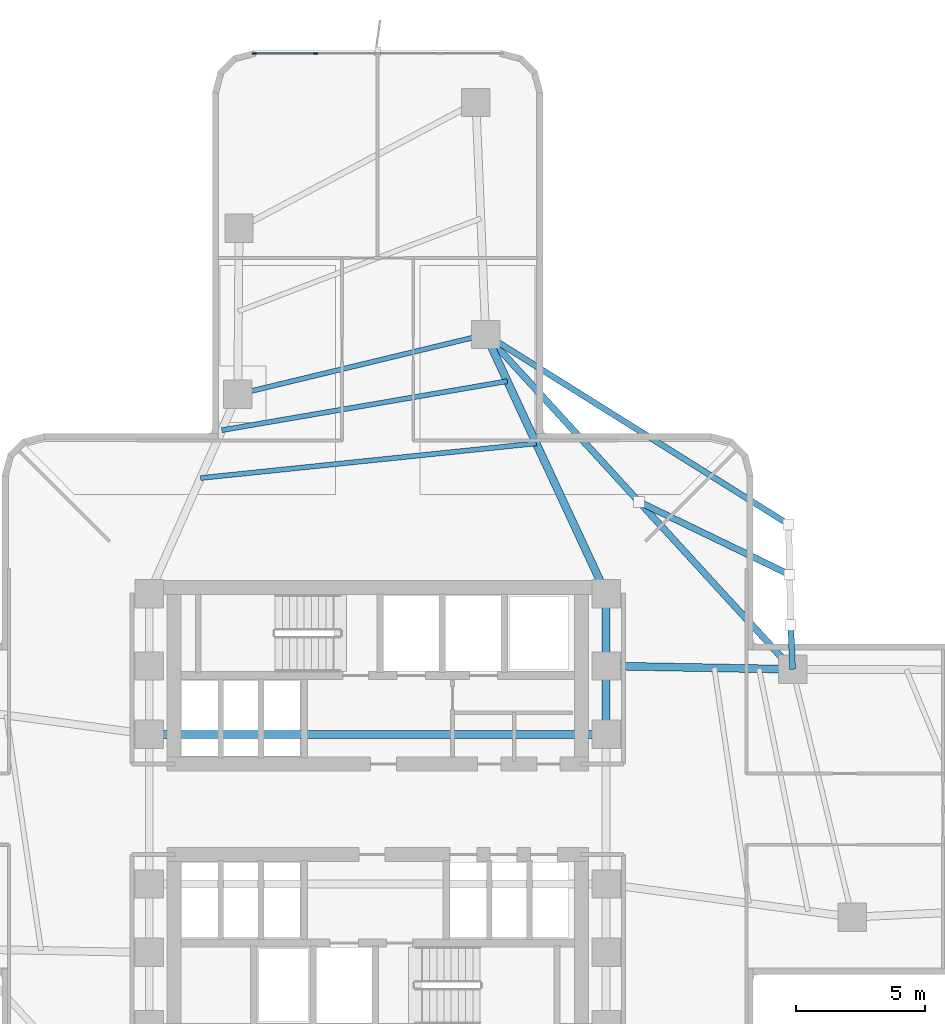
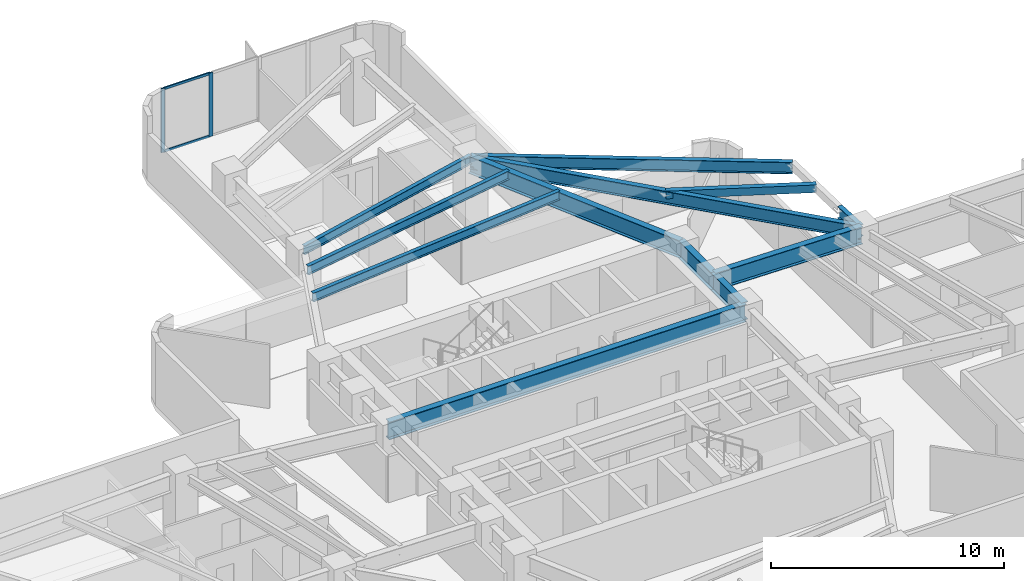
# One storey, part 5 of 14: 12 beams, 4 members, 1 element without a shape of its own.
"""IFC4 building model written with IfcOpenShell, lengths in metres."""

from ifc_helpers import new_model, si_unit, direction, frame, origin, origin_2d, place, context, subcontext, project, spatial, rectangle, hollow_rectangle, i_section, extrude, material, layer, layer_set, material_profile, profile_set, type_object, element, aggregate, save


model = new_model("IFC4")

# Units and contexts
model_context = context("Model", 3, precision=1e-05, world=origin(), true_north=direction((0.0, 1.0)))
body_context = subcontext(model_context, "Body", "Model", "MODEL_VIEW")
ifc_project = project(units=[si_unit("LENGTHUNIT", "METRE"), si_unit("AREAUNIT", "SQUARE_METRE"), si_unit("VOLUMEUNIT", "CUBIC_METRE"), si_unit("PLANEANGLEUNIT", "RADIAN"), si_unit("MASSUNIT", "GRAM", prefix="KILO")], contexts=[model_context])

# Site, building, storey
site_placement = place(None, origin())
site = spatial("IfcSite", under=ifc_project, at=site_placement, CompositionType="ELEMENT")
building_placement = place(site_placement, origin())
building = spatial("IfcBuilding", under=site, at=building_placement, Name="Solmarez Civic Tower", CompositionType="ELEMENT")
storey_placement = place(building_placement, frame((0.0, 0.0, 31.679931640625)))
storey = spatial("IfcBuildingStorey", under=building, at=storey_placement, Name="L07", CompositionType="ELEMENT", Elevation=31.679931640625)

# Beams
ifc_material_1 = material(Name="Steel S355", Category="steel")
ifc_material_profile_1 = material_profile(ifc_material_1, i_section(OverallWidth=0.19189453125, OverallDepth=0.462890625, WebThickness=0.010498046875, FlangeThickness=0.017578125, at=origin_2d()), Name="W18X60")
ifc_profile_set_1 = profile_set([ifc_material_profile_1], Name="Steel S355")
beam_type_1 = type_object("IfcBeamType", Name="BM-JS-W18X60", PredefinedType="JOIST", material=ifc_profile_set_1)
beam_1_placement = place(storey_placement, frame((4.18408203125, 18.39111328125, 3.109130859375), z_axis=(-0.97215737271, -0.234328919867, 0.0), x_axis=(0.234328919867, -0.97215737271, 0.0)))
element("IfcBeam", 1, at=beam_1_placement, inside=storey, type_object=beam_type_1, Name="L07 Secondary Floor Joist BM-L07-NA-T1", PredefinedType="JOIST", context=body_context, shape_type="SweptSolid", body=[
    extrude(i_section(OverallWidth=0.19189453125, OverallDepth=0.462890625, WebThickness=0.010498046875, FlangeThickness=0.017578125, at=origin_2d()), origin(), (0.0, 0.0, 1.0), 9.880126953125),
])
beam_2_placement = place(storey_placement, frame((6.14404296875, 14.174072265625, 3.109130859375), z_axis=(-0.9947100999, -0.102722038325, 0.0), x_axis=(0.102722038325, -0.9947100999, 0.0)))
element("IfcBeam", 2, at=beam_2_placement, inside=storey, type_object=beam_type_1, Name="L07 Secondary Floor Joist JS-L07-NA-M11", PredefinedType="JOIST", context=body_context, shape_type="SweptSolid", body=[
    extrude(i_section(OverallWidth=0.19189453125, OverallDepth=0.462890625, WebThickness=0.010498046875, FlangeThickness=0.017578125, at=origin_2d()), origin(), (0.0, 0.0, 1.0), 13.07421875),
])
beam_3_placement = place(storey_placement, frame((5.02392578125, 16.583984375, 3.109130859375), z_axis=(-0.985583934907, -0.169187195889, 0.0), x_axis=(0.169187195889, -0.985583934907, 0.0)))
element("IfcBeam", 3, at=beam_3_placement, inside=storey, type_object=beam_type_1, Name="L07 Secondary Floor Joist JS-L07-NA-M12", PredefinedType="JOIST", context=body_context, shape_type="SweptSolid", body=[
    extrude(i_section(OverallWidth=0.19189453125, OverallDepth=0.462890625, WebThickness=0.010498046875, FlangeThickness=0.017578125, at=origin_2d()), origin(), (0.0, 0.0, 1.0), 11.223876953125),
])
ifc_material_profile_2 = material_profile(ifc_material_1, i_section(OverallWidth=0.25390625, OverallDepth=0.68798828125, WebThickness=0.01318359375, FlangeThickness=0.02099609375, at=origin_2d()), Name="W27X102")
ifc_profile_set_2 = profile_set([ifc_material_profile_2], Name="Steel S355")
beam_type_2 = type_object("IfcBeamType", Name="BM-PR-W27X102", PredefinedType="BEAM", material=ifc_profile_set_2)
beam_4_placement = place(storey_placement, frame((16.075927734375, 5.4208984375, 2.99609375), z_axis=(-0.6758012736, 0.737083874875, 0.0), x_axis=(-0.737083874875, -0.6758012736, 0.0)))
element("IfcBeam", 4, at=beam_4_placement, inside=storey, type_object=beam_type_2, Name="L07 Primary Floor Beam BM-L07-BALC-NEC", PredefinedType="BEAM", context=body_context, shape_type="SweptSolid", body=[
    extrude(i_section(OverallWidth=0.25390625, OverallDepth=0.68798828125, WebThickness=0.01318359375, FlangeThickness=0.02099609375, at=origin_2d()), origin(), (0.0, 0.0, 1.0), 17.5966796875),
])
ifc_material_profile_3 = material_profile(ifc_material_1, i_section(OverallWidth=0.303955078125, OverallDepth=0.910888671875, WebThickness=0.015869140625, FlangeThickness=0.02392578125, at=origin_2d()), Name="W36X150")
ifc_profile_set_3 = profile_set([ifc_material_profile_3], Name="Steel S355")
beam_type_3 = type_object("IfcBeamType", Name="BM-PR-W36X150", PredefinedType="BEAM", material=ifc_profile_set_3)
beam_5_placement = place(storey_placement, frame((8.85009765625, 5.550048828125, 2.885009765625), z_axis=(0.999840308455, -0.017870578882, 0.0), x_axis=(0.017870578882, 0.999840308455, 0.0)))
element("IfcBeam", 5, at=beam_5_placement, inside=storey, type_object=beam_type_3, Name="L07 Primary Floor Beam BM-L07-EA-R1B", PredefinedType="BEAM", context=body_context, shape_type="SweptSolid", body=[
    extrude(i_section(OverallWidth=0.303955078125, OverallDepth=0.910888671875, WebThickness=0.015869140625, FlangeThickness=0.02392578125, at=origin_2d()), origin(), (0.0, 0.0, 1.0), 7.22705078125),
])
beam_6_placement = place(storey_placement, frame((8.85009765625, 8.35009765625, 2.885009765625), z_axis=(-0.421417065364, 0.906866945599, 0.0), x_axis=(-0.906866945599, -0.421417065364, 0.0)))
element("IfcBeam", 6, at=beam_6_placement, inside=storey, type_object=beam_type_3, Name="L07 Primary Floor Beam BM-L07-NA-R1A", PredefinedType="BEAM", context=body_context, shape_type="SweptSolid", body=[
    extrude(i_section(OverallWidth=0.303955078125, OverallDepth=0.910888671875, WebThickness=0.015869140625, FlangeThickness=0.02392578125, at=origin_2d()), origin(), (0.0, 0.0, 1.0), 11.072265625),
])
ifc_material_profile_4 = material_profile(ifc_material_1, i_section(OverallWidth=0.306884765625, OverallDepth=0.927001953125, WebThickness=0.019287109375, FlangeThickness=0.031982421875, at=origin_2d()), Name="W36X194")
ifc_profile_set_4 = profile_set([ifc_material_profile_4], Name="Steel S355")
beam_type_4 = type_object("IfcBeamType", Name="BM-PR-W36X194", PredefinedType="BEAM", material=ifc_profile_set_4)
beam_7_placement = place(storey_placement, frame((8.85009765625, 2.89990234375, 2.8759765625), z_axis=(0.0, 1.0, 0.0), x_axis=(-1.0, 0.0, 0.0)))
element("IfcBeam", 7, at=beam_7_placement, inside=storey, type_object=beam_type_4, Name="L07 Primary Floor Beam BM-L07-HC7-HC8", PredefinedType="BEAM", context=body_context, shape_type="SweptSolid", body=[
    extrude(i_section(OverallWidth=0.306884765625, OverallDepth=0.927001953125, WebThickness=0.019287109375, FlangeThickness=0.031982421875, at=origin_2d()), origin(), (0.0, 0.0, 1.0), 2.650146484375),
])
beam_8_placement = place(storey_placement, frame((8.85009765625, 5.550048828125, 2.8759765625), z_axis=(0.0, 1.0, 0.0), x_axis=(-1.0, 0.0, 0.0)))
element("IfcBeam", 8, at=beam_8_placement, inside=storey, type_object=beam_type_4, Name="L07 Primary Floor Beam BM-L07-HC8-HC11", PredefinedType="BEAM", context=body_context, shape_type="SweptSolid", body=[
    extrude(i_section(OverallWidth=0.306884765625, OverallDepth=0.927001953125, WebThickness=0.019287109375, FlangeThickness=0.031982421875, at=origin_2d()), origin(), (0.0, 0.0, 1.0), 2.800048828125),
])
beam_9_placement = place(storey_placement, frame((-8.85009765625, 2.89990234375, 2.8759765625), z_axis=(1.0, 0.0, 0.0), x_axis=(0.0, 1.0, 0.0)))
element("IfcBeam", 9, at=beam_9_placement, inside=storey, type_object=beam_type_4, Name="L07 Primary Floor Beam BM-L07-HC3-HC7", PredefinedType="BEAM", context=body_context, shape_type="SweptSolid", body=[
    extrude(i_section(OverallWidth=0.306884765625, OverallDepth=0.927001953125, WebThickness=0.019287109375, FlangeThickness=0.031982421875, at=origin_2d()), origin(), (0.0, 0.0, 1.0), 17.7001953125),
])
ifc_material_profile_5 = material_profile(ifc_material_1, hollow_rectangle(XDim=0.25, YDim=0.39990234375, WallThickness=0.01611328125, at=origin_2d()), Name="HSS400X250X16")
ifc_profile_set_5 = profile_set([ifc_material_profile_5], Name="Steel S355")
beam_type_5 = type_object("IfcBeamType", Name="BM-SP-HSS400X250", PredefinedType="SPANDREL", material=ifc_profile_set_5)
beam_10_placement = place(storey_placement, frame((10.1298828125, 11.906005859375, 3.14013671875), z_axis=(0.900301702735, -0.435266405839, 0.0), x_axis=(0.435266405839, 0.900301702735, 0.0)))
element("IfcBeam", 10, at=beam_10_placement, inside=storey, type_object=beam_type_5, Name="L07 Perimeter Spandrel Beam BM-L07-BALC-NEM", PredefinedType="SPANDREL", context=body_context, shape_type="SweptSolid", body=[
    extrude(hollow_rectangle(XDim=0.25, YDim=0.39990234375, WallThickness=0.01611328125, at=origin_2d()), origin(), (0.0, 0.0, 1.0), 6.47900390625),
])
ifc_material_profile_6 = material_profile(ifc_material_1, i_section(OverallWidth=0.22900390625, OverallDepth=0.612060546875, WebThickness=0.011962890625, FlangeThickness=0.01953125, at=origin_2d()), Name="W24X84")
ifc_profile_set_6 = profile_set([ifc_material_profile_6], Name="Steel S355")
beam_type_6 = type_object("IfcBeamType", Name="BM-SP-W24X84", PredefinedType="SPANDREL", material=ifc_profile_set_6)
beam_11_placement = place(storey_placement, frame((16.075927734375, 5.4208984375, 3.0341796875), z_axis=(-0.041932072391, 0.999120463861, 0.0), x_axis=(-0.999120463861, -0.041932072391, 0.0)))
element("IfcBeam", 11, at=beam_11_placement, inside=storey, type_object=beam_type_6, Name="L07 Perimeter Spandrel Beam BM-L07-BALC-NE1", PredefinedType="SPANDREL", context=body_context, shape_type="SweptSolid", body=[
    extrude(i_section(OverallWidth=0.22900390625, OverallDepth=0.612060546875, WebThickness=0.011962890625, FlangeThickness=0.01953125, at=origin_2d()), origin(), (0.0, 0.0, 1.0), 1.717529296875),
])
beam_12_placement = place(storey_placement, frame((4.18408203125, 18.39111328125, 3.0341796875), z_axis=(0.847382845558, -0.530982403713, 0.0), x_axis=(0.530982403713, 0.847382845558, 0.0)))
element("IfcBeam", 12, at=beam_12_placement, inside=storey, type_object=beam_type_6, Name="L07 Perimeter Spandrel Beam BM-L07-BALC-NE2", PredefinedType="SPANDREL", context=body_context, shape_type="SweptSolid", body=[
    extrude(i_section(OverallWidth=0.22900390625, OverallDepth=0.612060546875, WebThickness=0.011962890625, FlangeThickness=0.01953125, at=origin_2d()), origin(), (0.0, 0.0, 1.0), 13.85205078125),
])

# Curtain wall, members
ifc_material_2 = material(Name="Bronze Anodised Aluminium EN AW-6063 T6", Category="aluminium")
ifc_layer = layer(ifc_material_2, 0.18505859375)
ifc_layer_set = layer_set([ifc_layer], Name="Bronze Anodised Aluminium EN AW-6063 T6")
curtain_wall_type = type_object("IfcCurtainWallType", Name="CW-SYS-2", PredefinedType="NOTDEFINED", material=ifc_layer_set)
curtain_wall_placement = place(storey_placement, origin())
curtain_wall = element("IfcCurtainWall", 13, at=curtain_wall_placement, inside=storey, type_object=curtain_wall_type, Name="L07 Stick-Built Curtain Wall 2", PredefinedType="NOTDEFINED")
ifc_material_profile_7 = material_profile(ifc_material_2, rectangle(XDim=0.070068359375, YDim=0.179931640625, at=origin_2d()), Name="CWM-70X180")
ifc_profile_set_7 = profile_set([ifc_material_profile_7], Name="Bronze Anodised Aluminium EN AW-6063 T6")
member_type_1 = type_object("IfcMemberType", Name="CWM-TYPE-2", PredefinedType="MULLION", material=ifc_profile_set_7)
member_1_placement = place(storey_placement, frame((-4.77392578125, 29.280029296875, 0.0), z_axis=(0.0, 0.0, 1.0), x_axis=(0.0, 1.0, 0.0)))
member_1 = element("IfcMember", 14, at=member_1_placement, type_object=member_type_1, Name="CWS2 mullion 1", PredefinedType="MULLION", context=body_context, shape_type="SweptSolid", body=[
    extrude(rectangle(XDim=0.070068359375, YDim=0.179931640625, at=origin_2d()), origin(), (0.0, 0.0, 1.0), 3.340087890625),
])
member_2_placement = place(storey_placement, frame((-2.404541015625, 29.280029296875, 0.0), z_axis=(0.0, 0.0, 1.0), x_axis=(0.0, 1.0, 0.0)))
member_2 = element("IfcMember", 15, at=member_2_placement, type_object=member_type_1, Name="CWS2 mullion 2", PredefinedType="MULLION", context=body_context, shape_type="SweptSolid", body=[
    extrude(rectangle(XDim=0.070068359375, YDim=0.179931640625, at=origin_2d()), origin(), (0.0, 0.0, 1.0), 3.340087890625),
])
ifc_material_profile_8 = material_profile(ifc_material_2, rectangle(XDim=0.06494140625, YDim=0.125, at=origin_2d()), Name="CWT-65X125")
ifc_profile_set_8 = profile_set([ifc_material_profile_8], Name="Bronze Anodised Aluminium EN AW-6063 T6")
member_type_2 = type_object("IfcMemberType", Name="CWT-TYPE-2", PredefinedType="USERDEFINED", material=ifc_profile_set_8)
member_3_placement = place(storey_placement, frame((-4.739013671875, 29.280029296875, 0.032470703125), z_axis=(1.0, 0.0, 0.0), x_axis=(0.0, 1.0, 0.0)))
member_3 = element("IfcMember", 16, at=member_3_placement, type_object=member_type_2, Name="CWS2 transom 1.1", ObjectType="TRANSOM", PredefinedType="USERDEFINED", context=body_context, shape_type="SweptSolid", body=[
    extrude(rectangle(XDim=0.06494140625, YDim=0.125, at=origin_2d()), origin(), (0.0, 0.0, 1.0), 2.299560546875),
])
member_4_placement = place(storey_placement, frame((-4.739013671875, 29.280029296875, 3.3076171875), z_axis=(1.0, 0.0, 0.0), x_axis=(0.0, 1.0, 0.0)))
member_4 = element("IfcMember", 17, at=member_4_placement, type_object=member_type_2, Name="CWS2 transom 1.2", ObjectType="TRANSOM", PredefinedType="USERDEFINED", context=body_context, shape_type="SweptSolid", body=[
    extrude(rectangle(XDim=0.06494140625, YDim=0.125, at=origin_2d()), origin(), (0.0, 0.0, 1.0), 2.299560546875),
])
aggregate(curtain_wall, [member_1, member_2, member_3, member_4])

save(model, "model.ifc")
